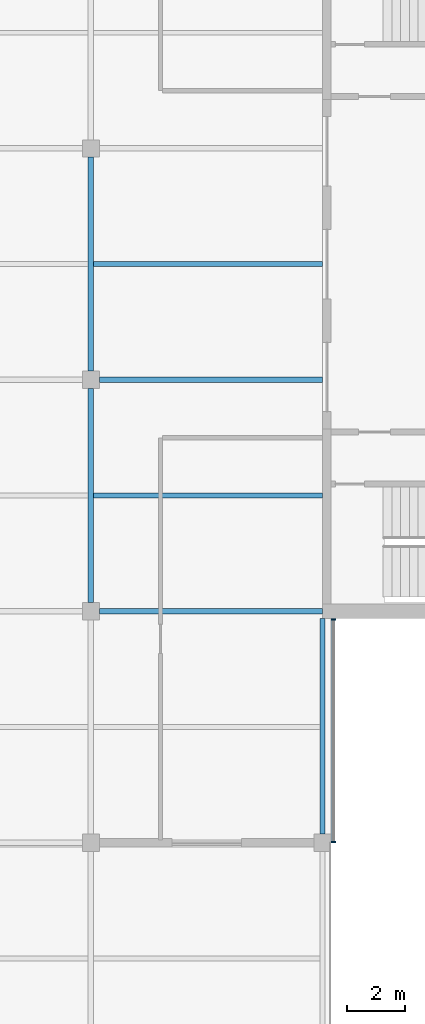
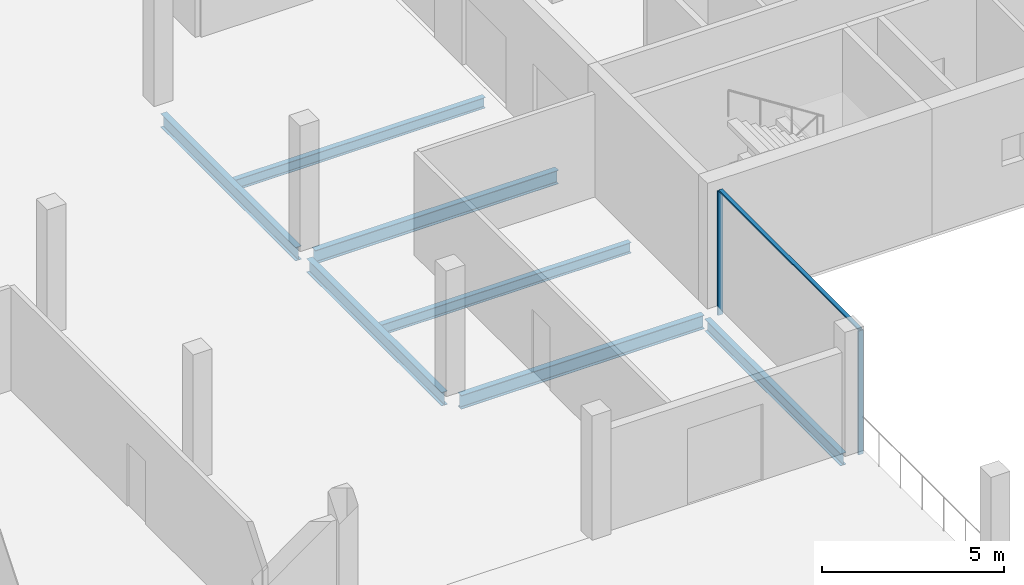
# One storey, part 4 of 12: 7 beams, 3 members, 1 element without a shape of its own.
"""IFC4 building model written with IfcOpenShell, lengths in metres."""

from ifc_helpers import new_model, si_unit, direction, frame, origin, origin_2d, place, context, subcontext, project, spatial, rectangle, i_section, extrude, material, material_profile, profile_set, type_object, element, aggregate, save


model = new_model("IFC4")

# Units and contexts
model_context = context("Model", 3, precision=1e-05, world=origin(), true_north=direction((0.0, 1.0)))
body_context = subcontext(model_context, "Body", "Model", "MODEL_VIEW")
ifc_project = project(units=[si_unit("LENGTHUNIT", "METRE"), si_unit("AREAUNIT", "SQUARE_METRE"), si_unit("VOLUMEUNIT", "CUBIC_METRE"), si_unit("PLANEANGLEUNIT", "RADIAN"), si_unit("MASSUNIT", "GRAM", prefix="KILO")], contexts=[model_context])

# Site, building, storey
site_placement = place(None, origin())
site = spatial("IfcSite", under=ifc_project, at=site_placement, CompositionType="ELEMENT")
building_placement = place(site_placement, origin())
building = spatial("IfcBuilding", under=site, at=building_placement, Name="Crosswind Convention Tower", CompositionType="ELEMENT")
storey_placement = place(building_placement, frame((0.0, 0.0, 328.10009765625)))
storey = spatial("IfcBuildingStorey", under=building, at=storey_placement, Name="L71", CompositionType="ELEMENT", Elevation=328.10009765625)

# Beams
ifc_material_1 = material(Name="Steel S355", Category="steel")
ifc_material_profile_1 = material_profile(ifc_material_1, i_section(OverallWidth=0.177734375, OverallDepth=0.406494140625, WebThickness=0.0078125, FlangeThickness=0.0126953125, FilletRadius=0.01025390625, at=origin_2d()), Name="UB 406x178x60")
ifc_profile_set_1 = profile_set([ifc_material_profile_1], Name="Steel S355")
beam_type_1 = type_object("IfcBeamType", Name="Edge beam UB 406x178x60", PredefinedType="SPANDREL", material=ifc_profile_set_1)
beam_placement = place(storey_placement, frame((137.0, 80.300048828125, -0.50341796875), z_axis=(0.0, 1.0, 0.0), x_axis=(-1.0, 0.0, 0.0)))
element("IfcBeam", 1, at=beam_placement, inside=storey, type_object=beam_type_1, Name="B15 L71 edge beam 12", PredefinedType="SPANDREL", context=body_context, shape_type="SweptSolid", body=[
    extrude(i_section(OverallWidth=0.177734375, OverallDepth=0.406494140625, WebThickness=0.0078125, FlangeThickness=0.0126953125, FilletRadius=0.01025390625, at=origin_2d()), origin(), (0.0, 0.0, 1.0), 7.449951171875),
])
ifc_material_profile_2 = material_profile(ifc_material_1, i_section(OverallWidth=0.18994140625, OverallDepth=0.45361328125, WebThickness=0.008544921875, FlangeThickness=0.0126953125, FilletRadius=0.01025390625, at=origin_2d()), Name="UB 457x191x67")
ifc_profile_set_2 = profile_set([ifc_material_profile_2], Name="Steel S355")
beam_type_2 = type_object("IfcBeamType", Name="Girder UB 457x191x67", PredefinedType="BEAM", material=ifc_profile_set_2)
for number, where, z_axis, x_axis, name in (
    (2, (129.0, 88.300048828125, -0.52685546875), (0.0, 1.0, 0.0), (-1.0, 0.0, 0.0), "B1 L71 girder 18"),
    (3, (129.0, 96.300048828125, -0.52685546875), (0.0, 1.0, 0.0), (-1.0, 0.0, 0.0), "B1 L71 girder 19"),
):
    element("IfcBeam", number, at=place(storey_placement, frame(where, z_axis=z_axis, x_axis=x_axis)), inside=storey, type_object=beam_type_2, Name=name, PredefinedType="BEAM", context=body_context, shape_type="SweptSolid", body=[
        extrude(i_section(OverallWidth=0.18994140625, OverallDepth=0.45361328125, WebThickness=0.008544921875, FlangeThickness=0.0126953125, FilletRadius=0.01025390625, at=origin_2d()), origin(), (0.0, 0.0, 1.0), 7.39990234375),
    ])
ifc_material_profile_3 = material_profile(ifc_material_1, i_section(OverallWidth=0.1904296875, OverallDepth=0.457275390625, WebThickness=0.009033203125, FlangeThickness=0.014404296875, FilletRadius=0.01025390625, at=origin_2d()), Name="UB 457x191x75")
ifc_profile_set_3 = profile_set([ifc_material_profile_3], Name="Steel S355")
beam_type_3 = type_object("IfcBeamType", Name="Girder at core wall UB 457x191x75", PredefinedType="BEAM", material=ifc_profile_set_3)
for number, where, z_axis, x_axis, name in (
    (4, (129.300048828125, 88.0, -0.52880859375), (1.0, 0.0, 0.0), (0.0, 1.0, 0.0), "B22 L71 girder at core wall 5"),
    (5, (129.300048828125, 96.0, -0.52880859375), (1.0, 0.0, 0.0), (0.0, 1.0, 0.0), "B22 L71 girder at core wall 6"),
):
    element("IfcBeam", number, at=place(storey_placement, frame(where, z_axis=z_axis, x_axis=x_axis)), inside=storey, type_object=beam_type_3, Name=name, PredefinedType="BEAM", context=body_context, shape_type="SweptSolid", body=[
        extrude(i_section(OverallWidth=0.1904296875, OverallDepth=0.457275390625, WebThickness=0.009033203125, FlangeThickness=0.014404296875, FilletRadius=0.01025390625, at=origin_2d()), origin(), (0.0, 0.0, 1.0), 7.699951171875),
    ])

# Curtain wall, members
ifc_material_2 = material(Name="Aluminium unitised curtain wall", Category="aluminium")
curtain_wall_type = type_object("IfcCurtainWallType", Name="CORE END SLOT WALL 160", PredefinedType="USERDEFINED", material=ifc_material_2)
curtain_wall_placement = place(storey_placement, origin())
curtain_wall = element("IfcCurtainWall", 6, at=curtain_wall_placement, inside=storey, type_object=curtain_wall_type, Name="CW6 L71 S-E.1-2 slot", ObjectType="UNITISED", PredefinedType="USERDEFINED")
ifc_material_3 = material(Name="Aluminium mullion", Category="aluminium")
ifc_material_profile_4 = material_profile(ifc_material_3, rectangle(XDim=0.159912109375, YDim=0.050048828125, at=origin_2d()), Name="AL 160X50")
ifc_profile_set_4 = profile_set([ifc_material_profile_4], Name="Aluminium mullion")
member_type_1 = type_object("IfcMemberType", Name="MULLION 50X160", PredefinedType="MULLION", material=ifc_profile_set_4)
member_1_placement = place(storey_placement, frame((137.3798828125, 80.02490234375, -0.300048828125), z_axis=(0.0, 0.0, 1.0), x_axis=(1.0, 0.0, 0.0)))
member_1 = element("IfcMember", 7, at=member_1_placement, type_object=member_type_1, Name="CW6 mullion 1", PredefinedType="MULLION", context=body_context, shape_type="SweptSolid", body=[
    extrude(rectangle(XDim=0.159912109375, YDim=0.050048828125, at=origin_2d()), origin(), (0.0, 0.0, 1.0), 4.14990234375),
])
member_2_placement = place(storey_placement, frame((137.3798828125, 87.72509765625, -0.300048828125), z_axis=(0.0, 0.0, 1.0), x_axis=(1.0, 0.0, 0.0)))
member_2 = element("IfcMember", 8, at=member_2_placement, type_object=member_type_1, Name="CW6 mullion 2", PredefinedType="MULLION", context=body_context, shape_type="SweptSolid", body=[
    extrude(rectangle(XDim=0.159912109375, YDim=0.050048828125, at=origin_2d()), origin(), (0.0, 0.0, 1.0), 4.14990234375),
])

# Beams
ifc_material_profile_5 = material_profile(ifc_material_1, i_section(OverallWidth=0.17138671875, OverallDepth=0.355712890625, WebThickness=0.00732421875, FlangeThickness=0.011474609375, FilletRadius=0.01025390625, at=origin_2d()), Name="UB 356x171x51")
ifc_profile_set_5 = profile_set([ifc_material_profile_5], Name="Steel S355")
beam_type_4 = type_object("IfcBeamType", Name="Secondary beam UB 356x171x51", PredefinedType="JOIST", material=ifc_profile_set_5)
for number, where, z_axis, x_axis, name in (
    (9, (129.094970703125, 92.0, -0.477783203125), (1.0, 0.0, 0.0), (0.0, 1.0, 0.0), "B8 L71 secondary beam 17"),
    (10, (129.094970703125, 100.0, -0.477783203125), (1.0, 0.0, 0.0), (0.0, 1.0, 0.0), "B8 L71 secondary beam 18"),
):
    element("IfcBeam", number, at=place(storey_placement, frame(where, z_axis=z_axis, x_axis=x_axis)), inside=storey, type_object=beam_type_4, Name=name, PredefinedType="JOIST", context=body_context, shape_type="SweptSolid", body=[
        extrude(i_section(OverallWidth=0.17138671875, OverallDepth=0.355712890625, WebThickness=0.00732421875, FlangeThickness=0.011474609375, FilletRadius=0.01025390625, at=origin_2d()), origin(), (0.0, 0.0, 1.0), 7.905029296875),
    ])

# Member
ifc_material_4 = material(Name="Aluminium transom", Category="aluminium")
ifc_material_profile_6 = material_profile(ifc_material_4, rectangle(XDim=0.1201171875, YDim=0.050048828125, at=origin_2d()), Name="AL 120X50")
ifc_profile_set_6 = profile_set([ifc_material_profile_6], Name="Aluminium transom")
member_type_2 = type_object("IfcMemberType", Name="TRANSOM 50X120", PredefinedType="USERDEFINED", material=ifc_profile_set_6)
member_3_placement = place(storey_placement, frame((137.3798828125, 80.050048828125, 3.875), z_axis=(0.0, 1.0, 0.0), x_axis=(-1.0, 0.0, 0.0)))
member_3 = element("IfcMember", 11, at=member_3_placement, type_object=member_type_2, Name="CW6 transom", ObjectType="TRANSOM", PredefinedType="USERDEFINED", context=body_context, shape_type="SweptSolid", body=[
    extrude(rectangle(XDim=0.1201171875, YDim=0.050048828125, at=origin_2d()), origin(), (0.0, 0.0, 1.0), 7.64990234375),
])

aggregate(curtain_wall, [member_1, member_2, member_3])

save(model, "model.ifc")
